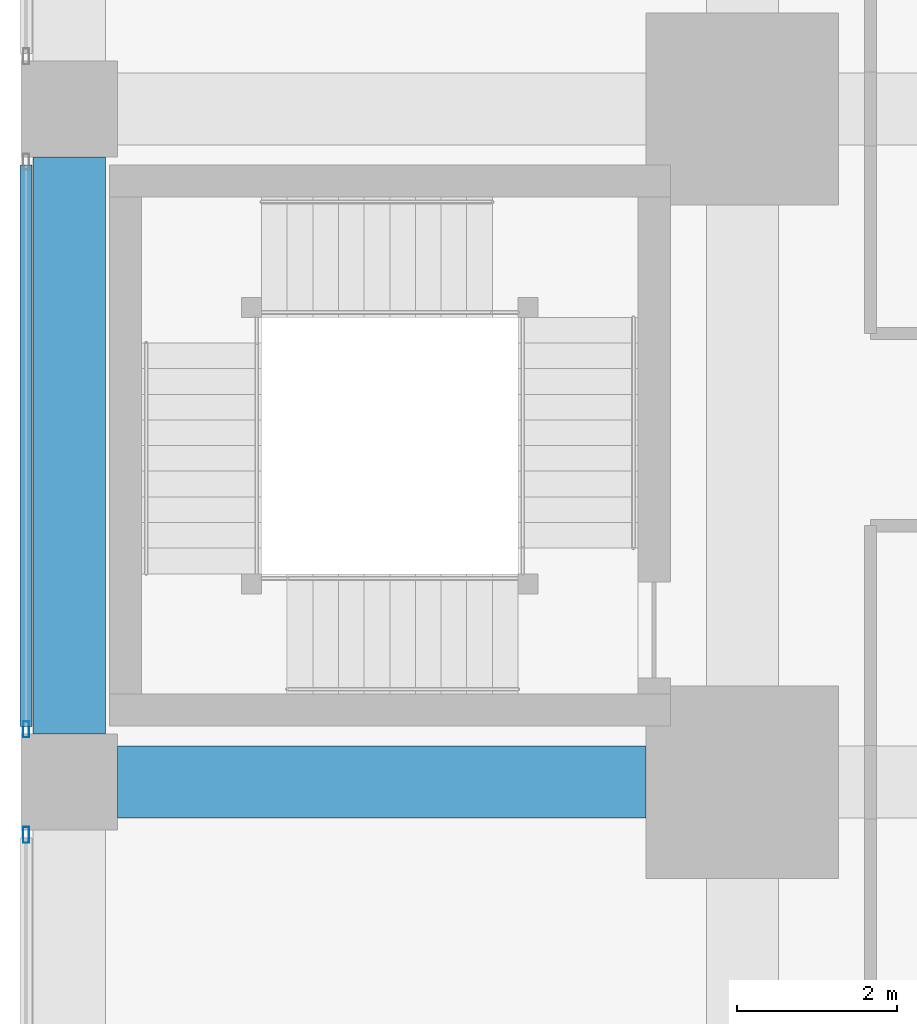
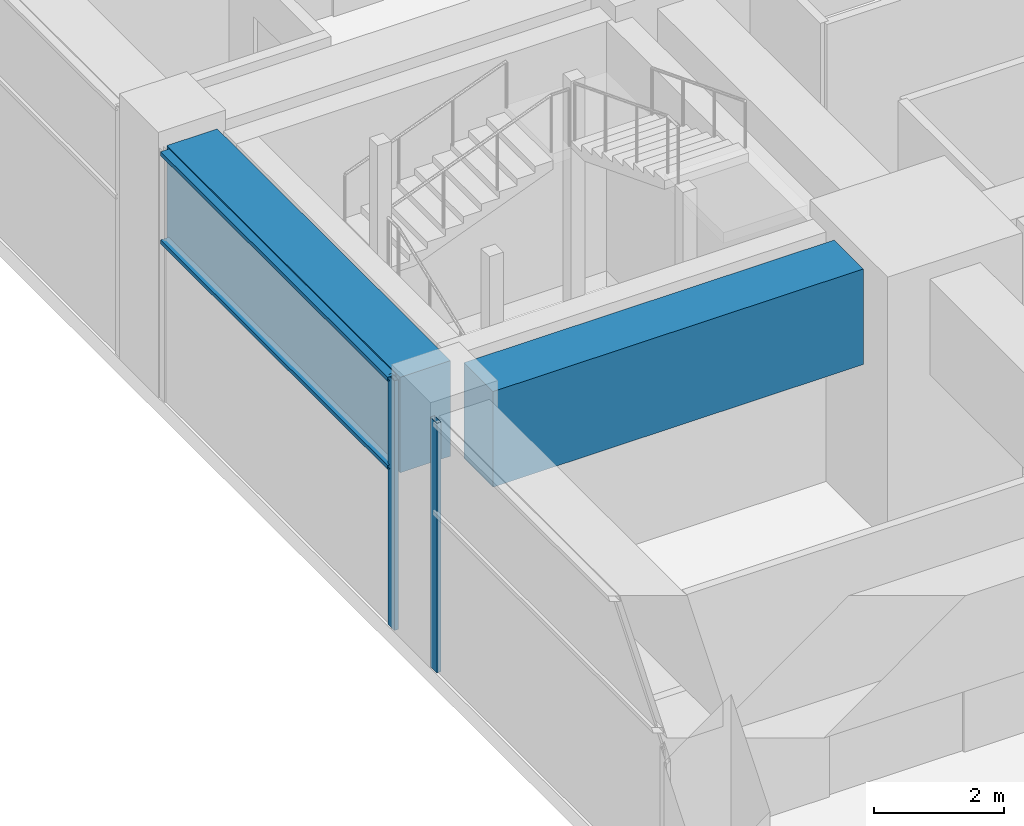
# One storey, part 11 of 49: 4 members, 2 beams, 2 elements without a shape of their own.
"""IFC4 building model written with IfcOpenShell, lengths in metres."""

from ifc_helpers import new_model, si_unit, direction, frame, origin, origin_2d, place, context, subcontext, project, spatial, rectangle, hollow_rectangle, extrude, material, material_profile, profile_set, type_object, element, aggregate, save


model = new_model("IFC4")

# Units and contexts
model_context = context("Model", 3, precision=1e-05, world=origin(), true_north=direction((0.0, 1.0)))
body_context = subcontext(model_context, "Body", "Model", "MODEL_VIEW")
ifc_project = project(units=[si_unit("LENGTHUNIT", "METRE"), si_unit("AREAUNIT", "SQUARE_METRE"), si_unit("VOLUMEUNIT", "CUBIC_METRE"), si_unit("PLANEANGLEUNIT", "RADIAN"), si_unit("MASSUNIT", "GRAM", prefix="KILO")], contexts=[model_context])

# Site, building, storey
site_placement = place(None, origin())
site = spatial("IfcSite", under=ifc_project, at=site_placement, CompositionType="ELEMENT")
building_placement = place(site_placement, origin())
building = spatial("IfcBuilding", under=site, at=building_placement, Name="Rekha Terrace Tower", CompositionType="ELEMENT")
storey_placement = place(building_placement, frame((0.0, 0.0, 10.39990234375)))
storey = spatial("IfcBuildingStorey", under=building, at=storey_placement, Name="L02", CompositionType="ELEMENT", Elevation=10.39990234375)

# Curtain wall, member
ifc_material_1 = material(Name="Aluminium framing", Category="aluminium")
curtain_wall_type = type_object("IfcCurtainWallType", Name="CW4 podium shopfront glazing", PredefinedType="USERDEFINED", material=ifc_material_1)
curtain_wall_1_placement = place(storey_placement, origin())
curtain_wall_1 = element("IfcCurtainWall", 1, at=curtain_wall_1_placement, inside=storey, type_object=curtain_wall_type, Name="CW4 shopfront curtain wall", ObjectType="SHOPFRONT CURTAIN WALL", PredefinedType="USERDEFINED")
ifc_material_2 = material(Name="Aluminium mullion section", Category="aluminium")
ifc_material_profile_1 = material_profile(ifc_material_2, hollow_rectangle(XDim=0.074951171875, YDim=0.199951171875, WallThickness=0.00390625, at=origin_2d()), Name="AL RHS 75x200")
ifc_profile_set_1 = profile_set([ifc_material_profile_1], Name="Aluminium mullion section")
member_type_1 = type_object("IfcMemberType", Name="CW4 mullion RHS 75 x 200", PredefinedType="MULLION", material=ifc_profile_set_1)
member_1_placement = place(storey_placement, frame((-0.5400390625, 25.857421875, 0.0), z_axis=(0.0, 0.0, 1.0), x_axis=(1.0, 0.0, 0.0)))
member_1 = element("IfcMember", 2, at=member_1_placement, type_object=member_type_1, Name="CW4 mullion 2", PredefinedType="MULLION", context=body_context, shape_type="SweptSolid", body=[
    extrude(hollow_rectangle(XDim=0.074951171875, YDim=0.199951171875, WallThickness=0.00390625, at=origin_2d()), origin(), (0.0, 0.0, 1.0), 4.7001953125),
])

curtain_wall_2_placement = place(storey_placement, origin())
curtain_wall_2 = element("IfcCurtainWall", 3, at=curtain_wall_2_placement, inside=storey, type_object=curtain_wall_type, Name="CW4 shopfront curtain wall", ObjectType="SHOPFRONT CURTAIN WALL", PredefinedType="USERDEFINED")
member_2_placement = place(storey_placement, frame((-0.5400390625, 24.54248046875, 0.0), z_axis=(0.0, 0.0, 1.0), x_axis=(1.0, 0.0, 0.0)))
member_2 = element("IfcMember", 4, at=member_2_placement, type_object=member_type_1, Name="CW4 mullion 1", PredefinedType="MULLION", context=body_context, shape_type="SweptSolid", body=[
    extrude(hollow_rectangle(XDim=0.074951171875, YDim=0.199951171875, WallThickness=0.00390625, at=origin_2d()), origin(), (0.0, 0.0, 1.0), 4.7001953125),
])
aggregate(curtain_wall_2, [member_2])

# Member
ifc_material_3 = material(Name="Aluminium transom section", Category="aluminium")
ifc_material_profile_2 = material_profile(ifc_material_3, hollow_rectangle(XDim=0.14990234375, YDim=0.074951171875, WallThickness=0.0029296875, at=origin_2d()), Name="AL RHS 150x75")
ifc_profile_set_2 = profile_set([ifc_material_profile_2], Name="Aluminium transom section")
member_type_2 = type_object("IfcMemberType", Name="CW4 transom RHS 75 x 150", PredefinedType="USERDEFINED", material=ifc_profile_set_2)
member_3_placement = place(storey_placement, frame((-0.5400390625, 32.905029296875, 3.0), z_axis=(0.0, -1.0, 0.0), x_axis=(1.0, 0.0, 0.0)))
member_3 = element("IfcMember", 5, at=member_3_placement, type_object=member_type_2, Name="CW4 transom 1.2", ObjectType="TRANSOM", PredefinedType="USERDEFINED", context=body_context, shape_type="SweptSolid", body=[
    extrude(hollow_rectangle(XDim=0.14990234375, YDim=0.074951171875, WallThickness=0.0029296875, at=origin_2d()), origin(), (0.0, 0.0, 1.0), 7.010009765625),
])

member_4_placement = place(storey_placement, frame((-0.5400390625, 32.905029296875, 4.66259765625), z_axis=(0.0, -1.0, 0.0), x_axis=(1.0, 0.0, 0.0)))
member_4 = element("IfcMember", 6, at=member_4_placement, type_object=member_type_2, Name="CW4 transom 1.3", ObjectType="TRANSOM", PredefinedType="USERDEFINED", context=body_context, shape_type="SweptSolid", body=[
    extrude(hollow_rectangle(XDim=0.14990234375, YDim=0.074951171875, WallThickness=0.0029296875, at=origin_2d()), origin(), (0.0, 0.0, 1.0), 7.010009765625),
])

aggregate(curtain_wall_1, [member_1, member_3, member_4])

# Beams
ifc_material_4 = material(Name="Concrete M60", Category="concrete")
ifc_material_profile_3 = material_profile(ifc_material_4, rectangle(XDim=0.89990234375, YDim=1.800048828125, at=origin_2d()), Name="RC 900x1800")
ifc_profile_set_3 = profile_set([ifc_material_profile_3], Name="Concrete M60")
beam_type = type_object("IfcBeamType", Name="G1 900x1800 podium floor beam", PredefinedType="BEAM", material=ifc_profile_set_3)
beam_1_placement = place(storey_placement, frame((0.60009765625, 25.199951171875, 3.800048828125), z_axis=(1.0, 0.0, 0.0), x_axis=(0.0, 1.0, 0.0)))
element("IfcBeam", 7, at=beam_1_placement, inside=storey, type_object=beam_type, Name="Beam G1 1D-2D under L03", PredefinedType="BEAM", context=body_context, shape_type="SweptSolid", body=[
    extrude(rectangle(XDim=0.89990234375, YDim=1.800048828125, at=origin_2d()), origin(), (0.0, 0.0, 1.0), 6.599853515625),
])
beam_2_placement = place(storey_placement, frame((0.0, 25.800048828125, 3.800048828125), z_axis=(0.0, 1.0, 0.0), x_axis=(-1.0, 0.0, 0.0)))
element("IfcBeam", 8, at=beam_2_placement, inside=storey, type_object=beam_type, Name="Beam G1 1D-1E under L03", PredefinedType="BEAM", context=body_context, shape_type="SweptSolid", body=[
    extrude(rectangle(XDim=0.89990234375, YDim=1.800048828125, at=origin_2d()), origin(), (0.0, 0.0, 1.0), 7.199951171875),
])

save(model, "model.ifc")
